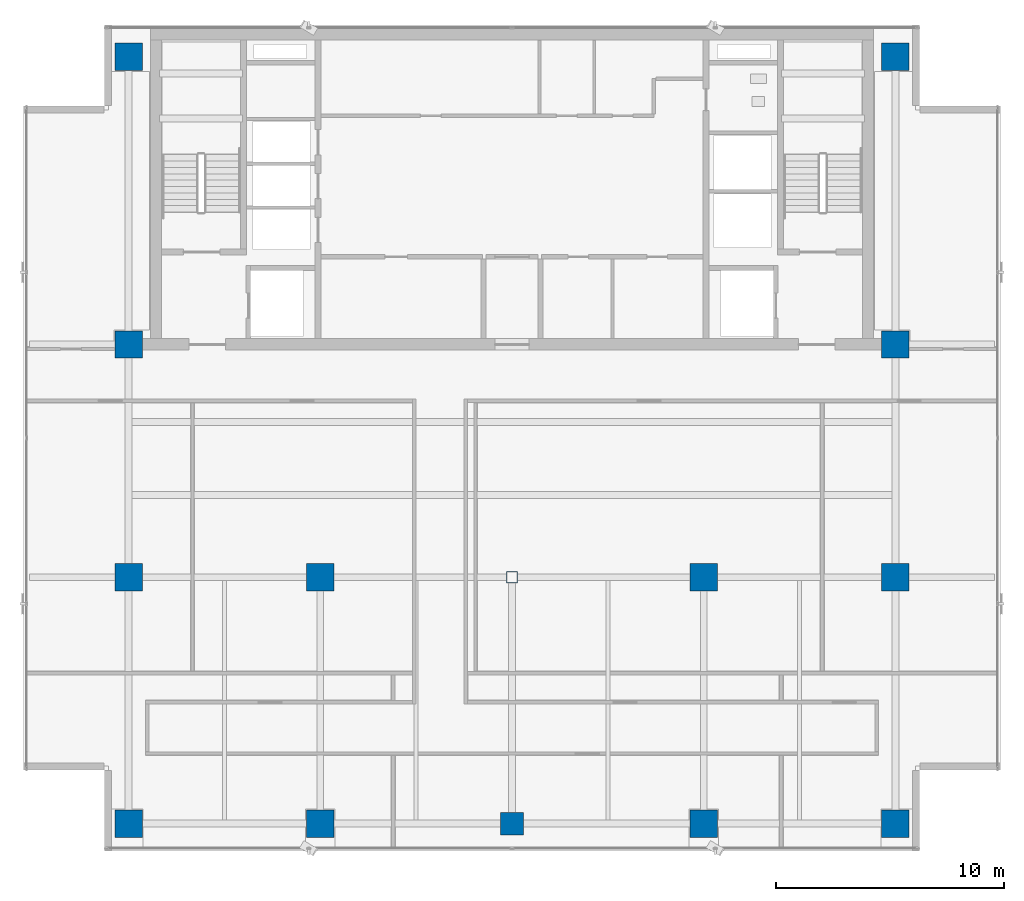
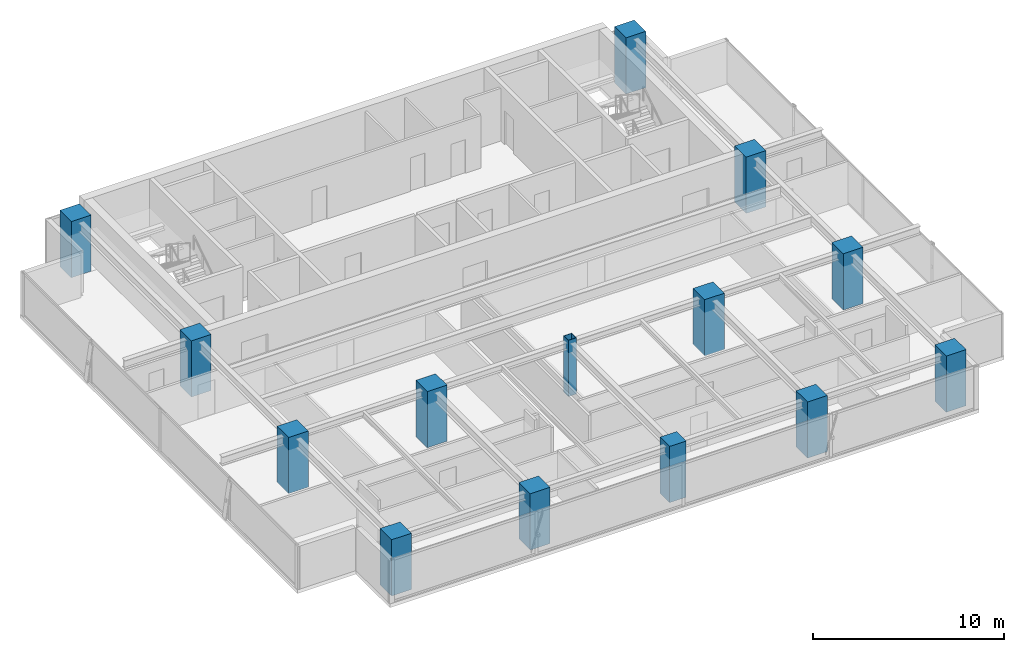
# One storey, part 1 of 22: 14 columns.
"""IFC4 building model written with IfcOpenShell, lengths in metres."""

from ifc_helpers import new_model, si_unit, direction, frame, origin, origin_with_axes, origin_2d, place, context, subcontext, project, spatial, rectangle, hollow_rectangle, extrude, source, transform, mapped, material, material_profile, profile_set, type_object, element, save


model = new_model("IFC4")

# Units and contexts
model_context = context("Model", 3, precision=1e-05, world=origin(), true_north=direction((0.0, 1.0)))
body_context = subcontext(model_context, "Body", "Model", "MODEL_VIEW")
ifc_project = project(units=[si_unit("LENGTHUNIT", "METRE"), si_unit("AREAUNIT", "SQUARE_METRE"), si_unit("VOLUMEUNIT", "CUBIC_METRE"), si_unit("PLANEANGLEUNIT", "RADIAN"), si_unit("MASSUNIT", "GRAM", prefix="KILO")], contexts=[model_context])

# Site, building, storey
site_placement = place(None, origin())
site = spatial("IfcSite", under=ifc_project, at=site_placement, CompositionType="ELEMENT")
building_placement = place(site_placement, origin())
building = spatial("IfcBuilding", under=site, at=building_placement, Name="Sumidabori Civic Tower", CompositionType="ELEMENT")
storey_placement = place(building_placement, frame((0.0, 0.0, 279.199951171875)))
storey = spatial("IfcBuildingStorey", under=building, at=storey_placement, Name="L73", CompositionType="ELEMENT", Elevation=279.199951171875)

# Columns
ifc_material_1 = material(Name="Concrete C50/60", Category="concrete")
ifc_material_profile_1 = material_profile(ifc_material_1, rectangle(XDim=1.0, YDim=1.0, at=origin_2d()), Name="RC 1000x1000")
ifc_profile_set_1 = profile_set([ifc_material_profile_1], Name="Concrete C50/60")
column_type_1 = type_object("IfcColumnType", Name="CL-INT-1000", PredefinedType="COLUMN", material=ifc_profile_set_1)
shared_shape_1 = source(origin(), body_context, "Body", "SweptSolid", [
    extrude(rectangle(XDim=1.0, YDim=1.0, at=origin_2d()), origin(), (0.0, 0.0, 1.0), 3.60009765625),
])
column_1_placement = place(storey_placement, frame((0.0, -10.800048828125, 0.0), z_axis=(0.0, 0.0, 1.0), x_axis=(1.0, 0.0, 0.0)))
element("IfcColumn", 1, at=column_1_placement, inside=storey, type_object=column_type_1, Name="Column MC-C00-Y11S L73", PredefinedType="COLUMN", context=body_context, shape_type="MappedRepresentation", body=[
    mapped(shared_shape_1, transform((0.0, 0.0, 0.0), x_axis=(1.0, 0.0, 0.0), y_axis=(0.0, 1.0, 0.0), z_axis=(0.0, 0.0, 1.0), scale=1.0)),
])
ifc_material_profile_2 = material_profile(ifc_material_1, rectangle(XDim=1.199951171875, YDim=1.199951171875, at=origin_2d()), Name="RC 1200x1200")
ifc_profile_set_2 = profile_set([ifc_material_profile_2], Name="Concrete C50/60")
column_type_2 = type_object("IfcColumnType", Name="CL-MEGA-1200", PredefinedType="COLUMN", material=ifc_profile_set_2)
shared_shape_2 = source(origin(), body_context, "Body", "SweptSolid", [
    extrude(rectangle(XDim=1.199951171875, YDim=1.199951171875, at=origin_2d()), origin(), (0.0, 0.0, 1.0), 3.60009765625),
])
for number, where, z_axis, x_axis, name in (
    (2, (-16.800048828125, -10.800048828125, 0.0), (0.0, 0.0, 1.0), (1.0, 0.0, 0.0), "Column MC-W16-Y11S L73"),
    (3, (-16.800048828125, 0.0, 0.0), (0.0, 0.0, 1.0), (1.0, 0.0, 0.0), "Column MC-W16-Y00 L73"),
    (4, (-16.800048828125, 10.199951171875, 0.0), (0.0, 0.0, 1.0), (1.0, 0.0, 0.0), "Column MC-W16-Y10N L73"),
    (5, (-16.800048828125, 22.800048828125, 0.0), (0.0, 0.0, 1.0), (1.0, 0.0, 0.0), "Column MC-W16-Y23N L73"),
    (6, (16.800048828125, -10.800048828125, 0.0), (0.0, 0.0, 1.0), (1.0, 0.0, 0.0), "Column MC-E16-Y11S L73"),
    (7, (16.800048828125, 0.0, 0.0), (0.0, 0.0, 1.0), (1.0, 0.0, 0.0), "Column MC-E16-Y00 L73"),
    (8, (16.800048828125, 10.199951171875, 0.0), (0.0, 0.0, 1.0), (1.0, 0.0, 0.0), "Column MC-E16-Y10N L73"),
    (9, (16.800048828125, 22.800048828125, 0.0), (0.0, 0.0, 1.0), (1.0, 0.0, 0.0), "Column MC-E16-Y23N L73"),
    (10, (-8.39990234375, 0.0, 0.0), (0.0, 0.0, 1.0), (1.0, 0.0, 0.0), "Column MC-W08-Y00 L73"),
    (11, (-8.39990234375, -10.800048828125, 0.0), (0.0, 0.0, 1.0), (1.0, 0.0, 0.0), "Column MC-W08-Y11S L73"),
    (12, (8.39990234375, 0.0, 0.0), (0.0, 0.0, 1.0), (1.0, 0.0, 0.0), "Column MC-E08-Y00 L73"),
    (13, (8.39990234375, -10.800048828125, 0.0), (0.0, 0.0, 1.0), (1.0, 0.0, 0.0), "Column MC-E08-Y11S L73"),
):
    element("IfcColumn", number, at=place(storey_placement, frame(where, z_axis=z_axis, x_axis=x_axis)), inside=storey, type_object=column_type_2, Name=name, PredefinedType="COLUMN", context=body_context, shape_type="MappedRepresentation", body=[
        mapped(shared_shape_2, transform((0.0, 0.0, 0.0), x_axis=(1.0, 0.0, 0.0), y_axis=(0.0, 1.0, 0.0), z_axis=(0.0, 0.0, 1.0), scale=1.0)),
    ])
ifc_material_2 = material(Name="Steel SN490", Category="steel")
ifc_material_profile_3 = material_profile(ifc_material_2, hollow_rectangle(XDim=0.5, YDim=0.5, WallThickness=0.02490234375, at=origin_2d()), Name="SHS 500x500x25")
ifc_profile_set_3 = profile_set([ifc_material_profile_3], Name="Steel SN490")
column_type_3 = type_object("IfcColumnType", Name="CL-CRN-SHS500", PredefinedType="COLUMN", material=ifc_profile_set_3)
shared_shape_3 = source(origin(), body_context, "Body", "SweptSolid", [
    extrude(hollow_rectangle(XDim=0.5, YDim=0.5, WallThickness=0.02490234375, at=origin_2d()), origin(), (0.0, 0.0, 1.0), 3.60009765625),
])
column_2_placement = place(storey_placement, origin_with_axes())
element("IfcColumn", 14, at=column_2_placement, inside=storey, type_object=column_type_3, Name="Column MC-C00-Y00 L73", PredefinedType="COLUMN", context=body_context, shape_type="MappedRepresentation", body=[
    mapped(shared_shape_3, transform((0.0, 0.0, 0.0), x_axis=(1.0, 0.0, 0.0), y_axis=(0.0, 1.0, 0.0), z_axis=(0.0, 0.0, 1.0), scale=1.0)),
])

save(model, "model.ifc")
